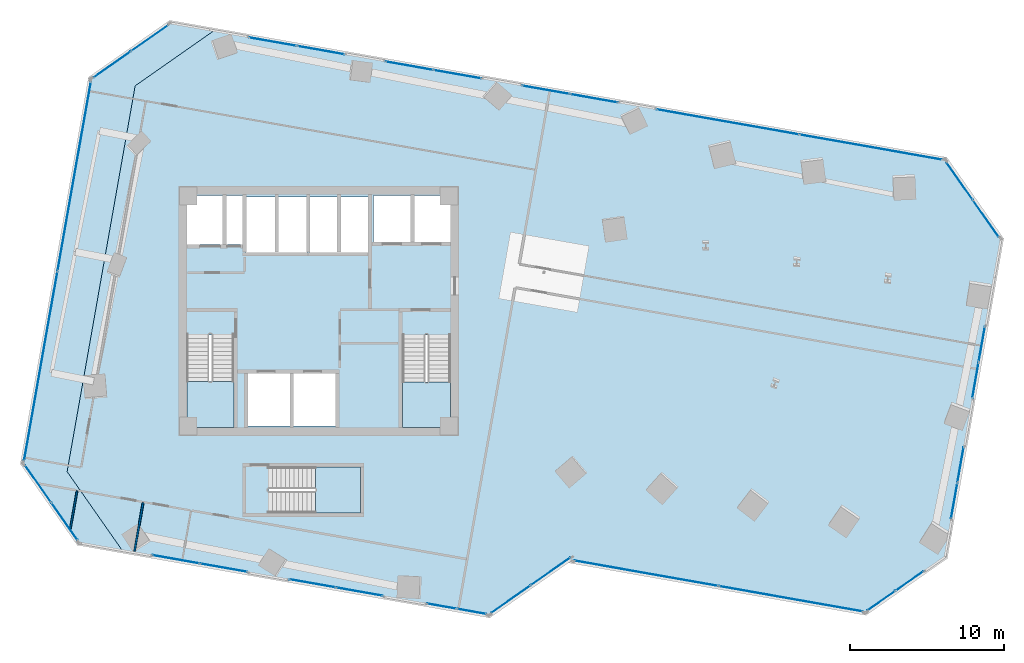
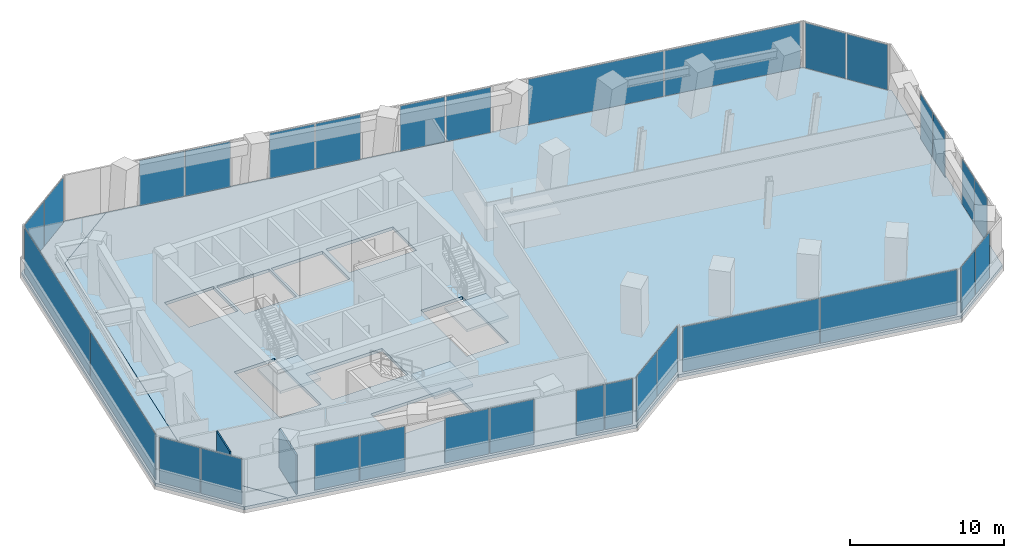
# One storey, part 18 of 24: 32 plates, 5 slabs, 2 walls, 19 elements without a shape of their own.
"""IFC4 building model written with IfcOpenShell, lengths in metres."""

from ifc_helpers import new_model, si_unit, direction, frame, frame_2d, origin, origin_2d, place, context, subcontext, project, spatial, polyline, rectangle, outline, extrude, source, transform, mapped, material, layer, layer_set, type_object, element, aggregate, save


model = new_model("IFC4")

# Units and contexts
model_context = context("Model", 3, precision=1e-05, world=origin(), true_north=direction((0.0, 1.0)))
body_context = subcontext(model_context, "Body", "Model", "MODEL_VIEW")
ifc_project = project(units=[si_unit("LENGTHUNIT", "METRE"), si_unit("AREAUNIT", "SQUARE_METRE"), si_unit("VOLUMEUNIT", "CUBIC_METRE"), si_unit("PLANEANGLEUNIT", "RADIAN"), si_unit("MASSUNIT", "GRAM", prefix="KILO")], contexts=[model_context])

# Site, building, storey
site_placement = place(None, origin())
site = spatial("IfcSite", under=ifc_project, at=site_placement, CompositionType="ELEMENT")
building_placement = place(site_placement, origin())
building = spatial("IfcBuilding", under=site, at=building_placement, Name="Torre Montelarca", CompositionType="ELEMENT")
storey_placement = place(building_placement, frame((0.0, 0.0, 79.0)))
storey = spatial("IfcBuildingStorey", under=building, at=storey_placement, Name="L17", CompositionType="ELEMENT", Elevation=79.0)

# Slabs
ifc_material_1 = material(Name="Concrete C40/50", Category="concrete")
ifc_layer_1 = layer(ifc_material_1, 0.239990234375, Name="Concrete C40/50", Category="concrete")
ifc_layer_set_1 = layer_set([ifc_layer_1], Name="Concrete C40/50")
slab_type_1 = type_object("IfcSlabType", Name="SL-FLR-240", PredefinedType="FLOOR", material=ifc_layer_set_1)
slab_1_placement = place(storey_placement, frame((0.0, 0.0, -0.239990234375)))
element("IfcSlab", 1, at=slab_1_placement, inside=storey, type_object=slab_type_1, Name="L17 Structural Floor Slab", PredefinedType="FLOOR", context=body_context, shape_type="SweptSolid", body=[
    extrude(outline(polyline([(29.073974609375, 12.18359375), (34.287109375, 15.833984375), (34.269775390625, 15.735595703125), (53.473388671875, 12.349365234375), (58.6865234375, 15.99951171875), (62.3330078125, 36.680419921875), (58.682861328125, 41.8935546875), (11.313720703125, 50.24609375), (6.1005859375, 46.595703125), (1.68994140625, 21.581787109375), (5.340087890625, 16.36865234375), (29.073974609375, 12.18359375)]), holes=[polyline([(20.699951171875, 18.89990234375), (14.760009765625, 18.89990234375), (14.760009765625, 21.889892578125), (20.699951171875, 21.889892578125), (20.699951171875, 18.89990234375)]), polyline([(19.10009765625, 24.550048828125), (13.39990234375, 24.550048828125), (13.39990234375, 27.949951171875), (19.10009765625, 27.949951171875), (19.10009765625, 24.550048828125)]), polyline([(23.43994140625, 24.449951171875), (23.43994140625, 30.429931640625), (26.550048828125, 30.429931640625), (26.550048828125, 24.449951171875), (23.43994140625, 24.449951171875)]), polyline([(9.449951171875, 24.449951171875), (9.449951171875, 30.4599609375), (12.5, 30.4599609375), (12.5, 24.449951171875), (9.449951171875, 24.449951171875)]), polyline([(17.25, 35.800048828125), (13.300048828125, 35.800048828125), (13.300048828125, 39.39990234375), (17.25, 39.39990234375), (17.25, 35.800048828125)]), polyline([(21.25, 35.800048828125), (17.39990234375, 35.800048828125), (17.39990234375, 39.39990234375), (21.25, 39.39990234375), (21.25, 35.800048828125)]), polyline([(13.1201171875, 36.300048828125), (9.449951171875, 36.300048828125), (9.449951171875, 39.5), (13.1201171875, 39.5), (13.1201171875, 36.300048828125)]), polyline([(26.60009765625, 36.449951171875), (21.550048828125, 36.449951171875), (21.550048828125, 39.5), (26.60009765625, 39.5), (26.60009765625, 36.449951171875)])]), origin(), (0.0, 0.0, 1.0), 0.239990234375),
])
slab_2_placement = place(storey_placement, frame((0.0, 0.0, -0.239990234375)))
element("IfcSlab", 2, at=slab_2_placement, inside=storey, type_object=slab_type_1, Name="L17 Sliding Tray Winter Garden Floor Slab W1", PredefinedType="FLOOR", context=body_context, shape_type="SweptSolid", body=[
    extrude(outline(polyline([(5.340087890625, 16.36865234375), (1.68994140625, 21.581787109375), (6.1005859375, 46.595703125), (11.313720703125, 50.24609375), (8.359130859375, 50.76708984375), (3.146240234375, 47.11669921875), (-1.264404296875, 22.102783203125), (2.3857421875, 16.8896484375), (5.340087890625, 16.36865234375)])), origin(), (0.0, 0.0, 1.0), 0.239990234375),
])

# Stair, slab
stair_type_1 = type_object("IfcStairType", Name="ST-CORE-ST1", PredefinedType="HALF_TURN_STAIR", material=ifc_material_1)
stair_1_placement = place(storey_placement, origin())
stair_1 = element("IfcStair", 3, at=stair_1_placement, inside=storey, type_object=stair_type_1, Name="L17 Protected Exit Stair ST1", PredefinedType="HALF_TURN_STAIR")
ifc_layer_2 = layer(ifc_material_1, 0.199951171875, Name="Concrete C40/50", Category="concrete")
ifc_layer_set_2 = layer_set([ifc_layer_2], Name="Concrete C40/50")
slab_type_2 = type_object("IfcSlabType", Name="SL-ST-LAND-ST1", PredefinedType="LANDING", material=ifc_layer_set_2)
slab_3_placement = place(storey_placement, frame((0.0, 0.0, 1.89990234375)))
slab_3 = element("IfcSlab", 4, at=slab_3_placement, type_object=slab_type_2, Name="ST1 landing 1", PredefinedType="LANDING", context=body_context, shape_type="SweptSolid", body=[
    extrude(outline(polyline([(9.449951171875, 27.419921875), (9.449951171875, 24.449951171875), (12.5, 24.449951171875), (12.5, 27.419921875), (9.449951171875, 27.419921875)])), origin(), (0.0, 0.0, 1.0), 0.2001953125),
])
aggregate(stair_1, [slab_3])

stair_type_2 = type_object("IfcStairType", Name="ST-CORE-ST2", PredefinedType="HALF_TURN_STAIR", material=ifc_material_1)
stair_2_placement = place(storey_placement, origin())
stair_2 = element("IfcStair", 5, at=stair_2_placement, inside=storey, type_object=stair_type_2, Name="L17 Protected Exit Stair ST2", PredefinedType="HALF_TURN_STAIR")
ifc_layer_3 = layer(ifc_material_1, 0.199951171875, Name="Concrete C40/50", Category="concrete")
ifc_layer_set_3 = layer_set([ifc_layer_3], Name="Concrete C40/50")
slab_type_3 = type_object("IfcSlabType", Name="SL-ST-LAND-ST2", PredefinedType="LANDING", material=ifc_layer_set_3)
slab_4_placement = place(storey_placement, frame((0.0, 0.0, 1.89990234375)))
slab_4 = element("IfcSlab", 6, at=slab_4_placement, type_object=slab_type_3, Name="ST2 landing 1", PredefinedType="LANDING", context=body_context, shape_type="SweptSolid", body=[
    extrude(outline(polyline([(23.43994140625, 27.389892578125), (23.43994140625, 24.449951171875), (26.550048828125, 24.449951171875), (26.550048828125, 27.389892578125), (23.43994140625, 27.389892578125)])), origin(), (0.0, 0.0, 1.0), 0.2001953125),
])
aggregate(stair_2, [slab_4])

stair_type_3 = type_object("IfcStairType", Name="ST-CORE-ST3", PredefinedType="HALF_TURN_STAIR", material=ifc_material_1)
stair_3_placement = place(storey_placement, origin())
stair_3 = element("IfcStair", 7, at=stair_3_placement, inside=storey, type_object=stair_type_3, Name="L17 Low-Rise Exit Stair ST3", PredefinedType="HALF_TURN_STAIR")
ifc_layer_4 = layer(ifc_material_1, 0.199951171875, Name="Concrete C40/50", Category="concrete")
ifc_layer_set_4 = layer_set([ifc_layer_4], Name="Concrete C40/50")
slab_type_4 = type_object("IfcSlabType", Name="SL-ST-LAND-ST3", PredefinedType="LANDING", material=ifc_layer_set_4)
slab_5_placement = place(storey_placement, frame((0.0, 0.0, 1.89990234375)))
slab_5 = element("IfcSlab", 8, at=slab_5_placement, type_object=slab_type_4, Name="ST3 landing 1", PredefinedType="LANDING", context=body_context, shape_type="SweptSolid", body=[
    extrude(outline(polyline([(17.800048828125, 18.89990234375), (20.699951171875, 18.89990234375), (20.699951171875, 21.889892578125), (17.800048828125, 21.889892578125), (17.800048828125, 18.89990234375)])), origin(), (0.0, 0.0, 1.0), 0.2001953125),
])
aggregate(stair_3, [slab_5])

# Curtain wall, plates
ifc_material_2 = material(Name="Insulated low-E laminated glass", Category="glass")
curtain_wall_type = type_object("IfcCurtainWallType", Name="CW-SYS-Z1", PredefinedType="USERDEFINED", material=ifc_material_2)
curtain_wall_1_placement = place(storey_placement, origin())
curtain_wall_1 = element("IfcCurtainWall", 9, at=curtain_wall_1_placement, inside=storey, type_object=curtain_wall_type, Name="L17 Curtain Wall Run CW-T3-L17-E01-B1", ObjectType="UNITISED GLAZING", PredefinedType="USERDEFINED")
ifc_layer_5 = layer(ifc_material_2, 0.028076171875, Name="Insulated low-E laminated glass", Category="glass")
ifc_layer_set_5 = layer_set([ifc_layer_5], Name="Insulated low-E laminated glass")
plate_type = type_object("IfcPlateType", Name="CWP-GLZ-28", PredefinedType="CURTAIN_PANEL", material=ifc_layer_set_5)
shared_shape_1 = source(origin(), body_context, "Body", "SweptSolid", [
    extrude(rectangle(XDim=3.085205078125, YDim=0.028076171875, at=origin_2d()), origin(), (0.0, 0.0, 1.0), 3.590087890625),
])
plate_1_placement = place(storey_placement, frame((8.748291015625, 15.899658203125, 0.06494140625), z_axis=(0.0, 0.0, 1.0), x_axis=(0.984806640149, -0.173654488907, 0.0)))
plate_1 = element("IfcPlate", 10, at=plate_1_placement, type_object=plate_type, Name="CW panel 1.1", PredefinedType="CURTAIN_PANEL", context=body_context, shape_type="MappedRepresentation", body=[
    mapped(shared_shape_1, transform((0.0, 0.0, 0.0), scale=1.0)),
])
plate_2_placement = place(storey_placement, frame((11.8505859375, 15.352783203125, 0.06494140625), z_axis=(0.0, 0.0, 1.0), x_axis=(0.984806640149, -0.173654488907, 0.0)))
plate_2 = element("IfcPlate", 11, at=plate_2_placement, type_object=plate_type, Name="CW panel 2.1", PredefinedType="CURTAIN_PANEL", context=body_context, shape_type="MappedRepresentation", body=[
    mapped(shared_shape_1, transform((0.0, 0.0, 0.0), scale=1.0)),
])
aggregate(curtain_wall_1, [plate_1, plate_2])

curtain_wall_2_placement = place(storey_placement, origin())
curtain_wall_2 = element("IfcCurtainWall", 12, at=curtain_wall_2_placement, inside=storey, type_object=curtain_wall_type, Name="L17 Curtain Wall Run CW-T3-L17-E07-B1", ObjectType="UNITISED GLAZING", PredefinedType="USERDEFINED")
shared_shape_2 = source(origin(), body_context, "Body", "SweptSolid", [
    extrude(rectangle(XDim=2.918701171875, YDim=0.028076171875, at=origin_2d()), origin(), (0.0, 0.0, 1.0), 3.590087890625),
])
plate_3_placement = place(storey_placement, frame((61.257080078125, 37.990478515625, 0.06494140625), z_axis=(0.0, 0.0, 1.0), x_axis=(-0.573545784811, 0.819173505874, 0.0)))
plate_3 = element("IfcPlate", 13, at=plate_3_placement, type_object=plate_type, Name="CW panel 1.1", PredefinedType="CURTAIN_PANEL", context=body_context, shape_type="MappedRepresentation", body=[
    mapped(shared_shape_2, transform((0.0, 0.0, 0.0), scale=1.0)),
])
plate_4_placement = place(storey_placement, frame((59.5458984375, 40.4345703125, 0.06494140625), z_axis=(0.0, 0.0, 1.0), x_axis=(-0.573545784811, 0.819173505874, 0.0)))
plate_4 = element("IfcPlate", 14, at=plate_4_placement, type_object=plate_type, Name="CW panel 2.1", PredefinedType="CURTAIN_PANEL", context=body_context, shape_type="MappedRepresentation", body=[
    mapped(shared_shape_2, transform((0.0, 0.0, 0.0), scale=1.0)),
])
aggregate(curtain_wall_2, [plate_3, plate_4])

curtain_wall_3_placement = place(storey_placement, origin())
curtain_wall_3 = element("IfcCurtainWall", 15, at=curtain_wall_3_placement, inside=storey, type_object=curtain_wall_type, Name="L17 Curtain Wall Run CW-T3-L17-E09-B1", ObjectType="UNITISED GLAZING", PredefinedType="USERDEFINED")
plate_5_placement = place(storey_placement, frame((7.04931640625, 49.69091796875, 0.06494140625), z_axis=(0.0, 0.0, 1.0), x_axis=(-0.819168052546, -0.573553573511, 0.0)))
plate_5 = element("IfcPlate", 16, at=plate_5_placement, type_object=plate_type, Name="CW panel 1.1", PredefinedType="CURTAIN_PANEL", context=body_context, shape_type="MappedRepresentation", body=[
    mapped(shared_shape_2, transform((0.0, 0.0, 0.0), scale=1.0)),
])
plate_6_placement = place(storey_placement, frame((4.605224609375, 47.979736328125, 0.06494140625), z_axis=(0.0, 0.0, 1.0), x_axis=(-0.819168052546, -0.573553573511, 0.0)))
plate_6 = element("IfcPlate", 17, at=plate_6_placement, type_object=plate_type, Name="CW panel 2.1", PredefinedType="CURTAIN_PANEL", context=body_context, shape_type="MappedRepresentation", body=[
    mapped(shared_shape_2, transform((0.0, 0.0, 0.0), scale=1.0)),
])
aggregate(curtain_wall_3, [plate_5, plate_6])

curtain_wall_4_placement = place(storey_placement, origin())
curtain_wall_4 = element("IfcCurtainWall", 18, at=curtain_wall_4_placement, inside=storey, type_object=curtain_wall_type, Name="L17 Curtain Wall Run CW-T3-L17-E11-B1", ObjectType="UNITISED GLAZING", PredefinedType="USERDEFINED")
plate_7_placement = place(storey_placement, frame((-0.1884765625, 20.792724609375, 0.06494140625), z_axis=(0.0, 0.0, 1.0), x_axis=(0.573545784811, -0.819173505874, 0.0)))
plate_7 = element("IfcPlate", 19, at=plate_7_placement, type_object=plate_type, Name="CW panel 1.1", PredefinedType="CURTAIN_PANEL", context=body_context, shape_type="MappedRepresentation", body=[
    mapped(shared_shape_2, transform((0.0, 0.0, 0.0), scale=1.0)),
])
plate_8_placement = place(storey_placement, frame((1.522705078125, 18.3486328125, 0.06494140625), z_axis=(0.0, 0.0, 1.0), x_axis=(0.573545784811, -0.819173505874, 0.0)))
plate_8 = element("IfcPlate", 20, at=plate_8_placement, type_object=plate_type, Name="CW panel 2.1", PredefinedType="CURTAIN_PANEL", context=body_context, shape_type="MappedRepresentation", body=[
    mapped(shared_shape_2, transform((0.0, 0.0, 0.0), scale=1.0)),
])
aggregate(curtain_wall_4, [plate_7, plate_8])

curtain_wall_5_placement = place(storey_placement, origin())
curtain_wall_5 = element("IfcCurtainWall", 21, at=curtain_wall_5_placement, inside=storey, type_object=curtain_wall_type, Name="L17 Curtain Wall Run CW-T3-L17-E08-B2", ObjectType="UNITISED GLAZING", PredefinedType="USERDEFINED")
shared_shape_3 = source(origin(), body_context, "Body", "SweptSolid", [
    extrude(rectangle(XDim=3.10791015625, YDim=0.028076171875, at=origin_2d()), origin(), (0.0, 0.0, 1.0), 3.590087890625),
])
plate_9_placement = place(storey_placement, frame((35.863037109375, 45.785400390625, 0.06494140625), z_axis=(0.0, 0.0, 1.0), x_axis=(-0.984808830467, 0.173642067006, 0.0)))
plate_9 = element("IfcPlate", 22, at=plate_9_placement, type_object=plate_type, Name="CW panel 1.1", PredefinedType="CURTAIN_PANEL", context=body_context, shape_type="MappedRepresentation", body=[
    mapped(shared_shape_3, transform((0.0, 0.0, 0.0), scale=1.0)),
])
plate_10_placement = place(storey_placement, frame((32.73828125, 46.336181640625, 0.06494140625), z_axis=(0.0, 0.0, 1.0), x_axis=(-0.984808830467, 0.173642067006, 0.0)))
plate_10 = element("IfcPlate", 23, at=plate_10_placement, type_object=plate_type, Name="CW panel 2.1", PredefinedType="CURTAIN_PANEL", context=body_context, shape_type="MappedRepresentation", body=[
    mapped(shared_shape_3, transform((0.0, 0.0, 0.0), scale=1.0)),
])
aggregate(curtain_wall_5, [plate_9, plate_10])

curtain_wall_6_placement = place(storey_placement, origin())
curtain_wall_6 = element("IfcCurtainWall", 24, at=curtain_wall_6_placement, inside=storey, type_object=curtain_wall_type, Name="L17 Curtain Wall Run CW-T3-L17-E08-B4", ObjectType="UNITISED GLAZING", PredefinedType="USERDEFINED")
shared_shape_4 = source(origin(), body_context, "Body", "SweptSolid", [
    extrude(rectangle(XDim=3.105712890625, YDim=0.028076171875, at=origin_2d()), origin(), (0.0, 0.0, 1.0), 3.590087890625),
])
plate_11_placement = place(storey_placement, frame((18.137451171875, 48.91064453125, 0.06494140625), z_axis=(0.0, 0.0, 1.0), x_axis=(-0.984806806821, 0.173653543698, 0.0)))
plate_11 = element("IfcPlate", 25, at=plate_11_placement, type_object=plate_type, Name="CW panel 1.1", PredefinedType="CURTAIN_PANEL", context=body_context, shape_type="MappedRepresentation", body=[
    mapped(shared_shape_4, transform((0.0, 0.0, 0.0), scale=1.0)),
])
plate_12_placement = place(storey_placement, frame((15.014892578125, 49.46142578125, 0.06494140625), z_axis=(0.0, 0.0, 1.0), x_axis=(-0.984806806821, 0.173653543698, 0.0)))
plate_12 = element("IfcPlate", 26, at=plate_12_placement, type_object=plate_type, Name="CW panel 2.1", PredefinedType="CURTAIN_PANEL", context=body_context, shape_type="MappedRepresentation", body=[
    mapped(shared_shape_4, transform((0.0, 0.0, 0.0), scale=1.0)),
])
aggregate(curtain_wall_6, [plate_11, plate_12])

curtain_wall_7_placement = place(storey_placement, origin())
curtain_wall_7 = element("IfcCurtainWall", 27, at=curtain_wall_7_placement, inside=storey, type_object=curtain_wall_type, Name="L17 Curtain Wall Run CW-T3-L17-E01-B3", ObjectType="UNITISED GLAZING", PredefinedType="USERDEFINED")
shared_shape_5 = source(origin(), body_context, "Body", "SweptSolid", [
    extrude(rectangle(XDim=1.9169921875, YDim=0.028076171875, at=origin_2d()), origin(), (0.0, 0.0, 1.0), 3.590087890625),
])
plate_13_placement = place(storey_placement, frame((25.973388671875, 12.862548828125, 0.06494140625), z_axis=(0.0, 0.0, 1.0), x_axis=(0.98480978289, -0.173636665264, 0.0)))
plate_13 = element("IfcPlate", 28, at=plate_13_placement, type_object=plate_type, Name="CW panel 1.1", PredefinedType="CURTAIN_PANEL", context=body_context, shape_type="MappedRepresentation", body=[
    mapped(shared_shape_5, transform((0.0, 0.0, 0.0), scale=1.0)),
])
plate_14_placement = place(storey_placement, frame((27.92529296875, 12.518310546875, 0.06494140625), z_axis=(0.0, 0.0, 1.0), x_axis=(0.98480978289, -0.173636665264, 0.0)))
plate_14 = element("IfcPlate", 29, at=plate_14_placement, type_object=plate_type, Name="CW panel 2.1", PredefinedType="CURTAIN_PANEL", context=body_context, shape_type="MappedRepresentation", body=[
    mapped(shared_shape_5, transform((0.0, 0.0, 0.0), scale=1.0)),
])
aggregate(curtain_wall_7, [plate_13, plate_14])

curtain_wall_8_placement = place(storey_placement, origin())
curtain_wall_8 = element("IfcCurtainWall", 30, at=curtain_wall_8_placement, inside=storey, type_object=curtain_wall_type, Name="L17 Curtain Wall Run CW-T3-L17-E02-B1", ObjectType="UNITISED GLAZING", PredefinedType="USERDEFINED")
shared_shape_6 = source(origin(), body_context, "Body", "SweptSolid", [
    extrude(rectangle(XDim=3.1025390625, YDim=0.028076171875, at=origin_2d()), origin(), (0.0, 0.0, 1.0), 3.590087890625),
])
plate_15_placement = place(storey_placement, frame((30.459228515625, 13.3125, 0.06494140625), z_axis=(0.0, 0.0, 1.0), x_axis=(0.819162914987, 0.573560911072, 0.0)))
plate_15 = element("IfcPlate", 31, at=plate_15_placement, type_object=plate_type, Name="CW panel 1.1", PredefinedType="CURTAIN_PANEL", context=body_context, shape_type="MappedRepresentation", body=[
    mapped(shared_shape_6, transform((0.0, 0.0, 0.0), scale=1.0)),
])
plate_16_placement = place(storey_placement, frame((33.053955078125, 15.129150390625, 0.06494140625), z_axis=(0.0, 0.0, 1.0), x_axis=(0.819162914987, 0.573560911072, 0.0)))
plate_16 = element("IfcPlate", 32, at=plate_16_placement, type_object=plate_type, Name="CW panel 2.1", PredefinedType="CURTAIN_PANEL", context=body_context, shape_type="MappedRepresentation", body=[
    mapped(shared_shape_6, transform((0.0, 0.0, 0.0), scale=1.0)),
])
aggregate(curtain_wall_8, [plate_15, plate_16])

curtain_wall_9_placement = place(storey_placement, origin())
curtain_wall_9 = element("IfcCurtainWall", 33, at=curtain_wall_9_placement, inside=storey, type_object=curtain_wall_type, Name="L17 Curtain Wall Run CW-T3-L17-E04-B1", ObjectType="UNITISED GLAZING", PredefinedType="USERDEFINED")
shared_shape_7 = source(origin(), body_context, "Body", "SweptSolid", [
    extrude(rectangle(XDim=9.448486328125, YDim=0.028076171875, at=origin_2d()), origin(), (0.0, 0.0, 1.0), 3.590087890625),
])
plate_17_placement = place(storey_placement, frame((39.2470703125, 14.98974609375, 0.06494140625), z_axis=(0.0, 0.0, 1.0), x_axis=(0.984808647741, -0.173643103331, 0.0)))
plate_17 = element("IfcPlate", 34, at=plate_17_placement, type_object=plate_type, Name="CW panel 1.1", PredefinedType="CURTAIN_PANEL", context=body_context, shape_type="MappedRepresentation", body=[
    mapped(shared_shape_7, transform((0.0, 0.0, 0.0), scale=1.0)),
])
plate_18_placement = place(storey_placement, frame((48.6162109375, 13.337890625, 0.06494140625), z_axis=(0.0, 0.0, 1.0), x_axis=(0.984808647741, -0.173643103331, 0.0)))
plate_18 = element("IfcPlate", 35, at=plate_18_placement, type_object=plate_type, Name="CW panel 2.1", PredefinedType="CURTAIN_PANEL", context=body_context, shape_type="MappedRepresentation", body=[
    mapped(shared_shape_7, transform((0.0, 0.0, 0.0), scale=1.0)),
])
aggregate(curtain_wall_9, [plate_17, plate_18])

curtain_wall_10_placement = place(storey_placement, origin())
curtain_wall_10 = element("IfcCurtainWall", 36, at=curtain_wall_10_placement, inside=storey, type_object=curtain_wall_type, Name="L17 Curtain Wall Run CW-T3-L17-E10-B1", ObjectType="UNITISED GLAZING", PredefinedType="USERDEFINED")
shared_shape_8 = source(origin(), body_context, "Body", "SweptSolid", [
    extrude(rectangle(XDim=12.4365234375, YDim=0.028076171875, at=origin_2d()), origin(), (0.0, 0.0, 1.0), 3.590087890625),
])
plate_19_placement = place(storey_placement, frame((2.154296875, 40.7431640625, 0.06494140625), z_axis=(0.0, 0.0, 1.0), x_axis=(-0.173646061274, -0.984808126187, 0.0)))
plate_19 = element("IfcPlate", 37, at=plate_19_placement, type_object=plate_type, Name="CW panel 1.1", PredefinedType="CURTAIN_PANEL", context=body_context, shape_type="MappedRepresentation", body=[
    mapped(shared_shape_8, transform((0.0, 0.0, 0.0), scale=1.0)),
])
plate_20_placement = place(storey_placement, frame((-0.0166015625, 28.431396484375, 0.06494140625), z_axis=(0.0, 0.0, 1.0), x_axis=(-0.173646061274, -0.984808126187, 0.0)))
plate_20 = element("IfcPlate", 38, at=plate_20_placement, type_object=plate_type, Name="CW panel 2.1", PredefinedType="CURTAIN_PANEL", context=body_context, shape_type="MappedRepresentation", body=[
    mapped(shared_shape_8, transform((0.0, 0.0, 0.0), scale=1.0)),
])
aggregate(curtain_wall_10, [plate_19, plate_20])

curtain_wall_11_placement = place(storey_placement, origin())
curtain_wall_11 = element("IfcCurtainWall", 39, at=curtain_wall_11_placement, inside=storey, type_object=curtain_wall_type, Name="L17 Curtain Wall Run CW-T3-L17-E01-B2", ObjectType="UNITISED GLAZING", PredefinedType="USERDEFINED")
shared_shape_9 = source(origin(), body_context, "Body", "SweptSolid", [
    extrude(rectangle(XDim=3.046875, YDim=0.028076171875, at=origin_2d()), origin(), (0.0, 0.0, 1.0), 3.590087890625),
])
plate_21_placement = place(storey_placement, frame((17.592529296875, 14.34033203125, 0.06494140625), z_axis=(0.0, 0.0, 1.0), x_axis=(0.984807562424, -0.173649258543, 0.0)))
plate_21 = element("IfcPlate", 40, at=plate_21_placement, type_object=plate_type, Name="CW panel 1.1", PredefinedType="CURTAIN_PANEL", context=body_context, shape_type="MappedRepresentation", body=[
    mapped(shared_shape_9, transform((0.0, 0.0, 0.0), scale=1.0)),
])
plate_22_placement = place(storey_placement, frame((20.656982421875, 13.7998046875, 0.06494140625), z_axis=(0.0, 0.0, 1.0), x_axis=(0.984807562424, -0.173649258543, 0.0)))
plate_22 = element("IfcPlate", 41, at=plate_22_placement, type_object=plate_type, Name="CW panel 2.1", PredefinedType="CURTAIN_PANEL", context=body_context, shape_type="MappedRepresentation", body=[
    mapped(shared_shape_9, transform((0.0, 0.0, 0.0), scale=1.0)),
])
aggregate(curtain_wall_11, [plate_21, plate_22])

curtain_wall_12_placement = place(storey_placement, origin())
curtain_wall_12 = element("IfcCurtainWall", 42, at=curtain_wall_12_placement, inside=storey, type_object=curtain_wall_type, Name="L17 Curtain Wall Run CW-T3-L17-E05-B1", ObjectType="UNITISED GLAZING", PredefinedType="USERDEFINED")
shared_shape_10 = source(origin(), body_context, "Body", "SweptSolid", [
    extrude(rectangle(XDim=2.17919921875, YDim=0.028076171875, at=origin_2d()), origin(), (0.0, 0.0, 1.0), 3.590087890625),
])
plate_23_placement = place(storey_placement, frame((54.48046875, 13.213134765625, 0.06494140625), z_axis=(0.0, 0.0, 1.0), x_axis=(0.819166916615, 0.573555195883, 0.0)))
plate_23 = element("IfcPlate", 43, at=plate_23_placement, type_object=plate_type, Name="CW panel 1.1", PredefinedType="CURTAIN_PANEL", context=body_context, shape_type="MappedRepresentation", body=[
    mapped(shared_shape_10, transform((0.0, 0.0, 0.0), scale=1.0)),
])
plate_24_placement = place(storey_placement, frame((56.31884765625, 14.50048828125, 0.06494140625), z_axis=(0.0, 0.0, 1.0), x_axis=(0.819166916615, 0.573555195883, 0.0)))
plate_24 = element("IfcPlate", 44, at=plate_24_placement, type_object=plate_type, Name="CW panel 2.1", PredefinedType="CURTAIN_PANEL", context=body_context, shape_type="MappedRepresentation", body=[
    mapped(shared_shape_10, transform((0.0, 0.0, 0.0), scale=1.0)),
])
aggregate(curtain_wall_12, [plate_23, plate_24])

curtain_wall_13_placement = place(storey_placement, origin())
curtain_wall_13 = element("IfcCurtainWall", 45, at=curtain_wall_13_placement, inside=storey, type_object=curtain_wall_type, Name="L17 Curtain Wall Run CW-T3-L17-E06-B1", ObjectType="UNITISED GLAZING", PredefinedType="USERDEFINED")
shared_shape_11 = source(origin(), body_context, "Body", "SweptSolid", [
    extrude(rectangle(XDim=2.31494140625, YDim=0.028076171875, at=origin_2d()), origin(), (0.0, 0.0, 1.0), 3.590087890625),
])
plate_25_placement = place(storey_placement, frame((59.205810546875, 19.693115234375, 0.06494140625), z_axis=(0.0, 0.0, 1.0), x_axis=(0.173633997676, 0.984810253222, 0.0)))
plate_25 = element("IfcPlate", 46, at=plate_25_placement, type_object=plate_type, Name="CW panel 1.1", PredefinedType="CURTAIN_PANEL", context=body_context, shape_type="MappedRepresentation", body=[
    mapped(shared_shape_11, transform((0.0, 0.0, 0.0), scale=1.0)),
])
plate_26_placement = place(storey_placement, frame((59.619140625, 22.036865234375, 0.06494140625), z_axis=(0.0, 0.0, 1.0), x_axis=(0.173633997676, 0.984810253222, 0.0)))
plate_26 = element("IfcPlate", 47, at=plate_26_placement, type_object=plate_type, Name="CW panel 2.1", PredefinedType="CURTAIN_PANEL", context=body_context, shape_type="MappedRepresentation", body=[
    mapped(shared_shape_11, transform((0.0, 0.0, 0.0), scale=1.0)),
])
aggregate(curtain_wall_13, [plate_25, plate_26])

curtain_wall_14_placement = place(storey_placement, origin())
curtain_wall_14 = element("IfcCurtainWall", 48, at=curtain_wall_14_placement, inside=storey, type_object=curtain_wall_type, Name="L17 Curtain Wall Run CW-T3-L17-E06-B2", ObjectType="UNITISED GLAZING", PredefinedType="USERDEFINED")
shared_shape_12 = source(origin(), body_context, "Body", "SweptSolid", [
    extrude(rectangle(XDim=2.314208984375, YDim=0.028076171875, at=origin_2d()), origin(), (0.0, 0.0, 1.0), 3.590087890625),
])
plate_27_placement = place(storey_placement, frame((60.581787109375, 27.4970703125, 0.06494140625), z_axis=(0.0, 0.0, 1.0), x_axis=(0.173637488749, 0.984809637697, 0.0)))
plate_27 = element("IfcPlate", 49, at=plate_27_placement, type_object=plate_type, Name="CW panel 1.1", PredefinedType="CURTAIN_PANEL", context=body_context, shape_type="MappedRepresentation", body=[
    mapped(shared_shape_12, transform((0.0, 0.0, 0.0), scale=1.0)),
])
plate_28_placement = place(storey_placement, frame((60.994873046875, 29.840087890625, 0.06494140625), z_axis=(0.0, 0.0, 1.0), x_axis=(0.173637488749, 0.984809637697, 0.0)))
plate_28 = element("IfcPlate", 50, at=plate_28_placement, type_object=plate_type, Name="CW panel 2.1", PredefinedType="CURTAIN_PANEL", context=body_context, shape_type="MappedRepresentation", body=[
    mapped(shared_shape_12, transform((0.0, 0.0, 0.0), scale=1.0)),
])
aggregate(curtain_wall_14, [plate_27, plate_28])

curtain_wall_15_placement = place(storey_placement, origin())
curtain_wall_15 = element("IfcCurtainWall", 51, at=curtain_wall_15_placement, inside=storey, type_object=curtain_wall_type, Name="L17 Curtain Wall Run CW-T3-L17-E08-B1", ObjectType="UNITISED GLAZING", PredefinedType="USERDEFINED")
shared_shape_13 = source(origin(), body_context, "Body", "SweptSolid", [
    extrude(rectangle(XDim=9.372802734375, YDim=0.028076171875, at=origin_2d()), origin(), (0.0, 0.0, 1.0), 3.590087890625),
])
plate_29_placement = place(storey_placement, frame((53.81787109375, 42.619384765625, 0.06494140625), z_axis=(0.0, 0.0, 1.0), x_axis=(-0.984807839133, 0.173647689249, 0.0)))
plate_29 = element("IfcPlate", 52, at=plate_29_placement, type_object=plate_type, Name="CW panel 1.1", PredefinedType="CURTAIN_PANEL", context=body_context, shape_type="MappedRepresentation", body=[
    mapped(shared_shape_13, transform((0.0, 0.0, 0.0), scale=1.0)),
])
plate_30_placement = place(storey_placement, frame((44.5234375, 44.25830078125, 0.06494140625), z_axis=(0.0, 0.0, 1.0), x_axis=(-0.984807839133, 0.173647689249, 0.0)))
plate_30 = element("IfcPlate", 53, at=plate_30_placement, type_object=plate_type, Name="CW panel 2.1", PredefinedType="CURTAIN_PANEL", context=body_context, shape_type="MappedRepresentation", body=[
    mapped(shared_shape_13, transform((0.0, 0.0, 0.0), scale=1.0)),
])
aggregate(curtain_wall_15, [plate_29, plate_30])

curtain_wall_16_placement = place(storey_placement, origin())
curtain_wall_16 = element("IfcCurtainWall", 54, at=curtain_wall_16_placement, inside=storey, type_object=curtain_wall_type, Name="L17 Curtain Wall Run CW-T3-L17-E08-B3", ObjectType="UNITISED GLAZING", PredefinedType="USERDEFINED")
shared_shape_14 = source(origin(), body_context, "Body", "SweptSolid", [
    extrude(rectangle(XDim=3.106689453125, YDim=0.028076171875, at=origin_2d()), origin(), (0.0, 0.0, 1.0), 3.590087890625),
])
plate_31_placement = place(storey_placement, frame((27.000244140625, 47.34814453125, 0.06494140625), z_axis=(0.0, 0.0, 1.0), x_axis=(-0.984806014213, 0.173658038596, 0.0)))
plate_31 = element("IfcPlate", 55, at=plate_31_placement, type_object=plate_type, Name="CW panel 1.1", PredefinedType="CURTAIN_PANEL", context=body_context, shape_type="MappedRepresentation", body=[
    mapped(shared_shape_14, transform((0.0, 0.0, 0.0), scale=1.0)),
])
plate_32_placement = place(storey_placement, frame((23.876708984375, 47.89892578125, 0.06494140625), z_axis=(0.0, 0.0, 1.0), x_axis=(-0.984806014213, 0.173658038596, 0.0)))
plate_32 = element("IfcPlate", 56, at=plate_32_placement, type_object=plate_type, Name="CW panel 2.1", PredefinedType="CURTAIN_PANEL", context=body_context, shape_type="MappedRepresentation", body=[
    mapped(shared_shape_14, transform((0.0, 0.0, 0.0), scale=1.0)),
])
aggregate(curtain_wall_16, [plate_31, plate_32])

# Walls
ifc_material_3 = material(Name="Acoustic laminated glass partition", Category="glass")
ifc_layer_6 = layer(ifc_material_3, 0.10009765625, Name="Acoustic laminated glass partition", Category="glass")
ifc_layer_set_6 = layer_set([ifc_layer_6], Name="Acoustic laminated glass partition")
wall_type_1 = type_object("IfcWallType", Name="PW-GLAZ-100", PredefinedType="PARTITIONING", material=ifc_layer_set_6)
wall_1_placement = place(storey_placement, frame((1.899658203125, 17.876953125, 0.0), z_axis=(0.0, 0.0, 1.0), x_axis=(0.173701499557, 0.984798349436, 0.0)))
element("IfcWall", 57, at=wall_1_placement, inside=storey, type_object=wall_type_1, Name="L17 Interior Partition W-L17-WCW", PredefinedType="PARTITIONING", context=body_context, shape_type="SweptSolid", body=[
    extrude(rectangle(XDim=2.491943359375, YDim=0.10009765625, at=frame_2d((1.24609375, 0.0))), origin(), (0.0, 0.0, 1.0), 3.9599609375),
])
ifc_material_4 = material(Name="Gypsum plasterboard on steel stud", Category="steel")
ifc_layer_7 = layer(ifc_material_4, 0.114990234375, Name="Gypsum plasterboard on steel stud", Category="steel")
ifc_layer_set_7 = layer_set([ifc_layer_7], Name="Gypsum plasterboard on steel stud")
wall_type_2 = type_object("IfcWallType", Name="PW-PART-115", PredefinedType="PARTITIONING", material=ifc_layer_set_7)
wall_2_placement = place(storey_placement, frame((6.060791015625, 16.42431640625, 0.0), z_axis=(0.0, 0.0, 1.0), x_axis=(0.173646056486, 0.984808127031, 0.0)))
element("IfcWall", 58, at=wall_2_placement, inside=storey, type_object=wall_type_2, Name="L17 Interior Partition W-L17-WCD", PredefinedType="PARTITIONING", context=body_context, shape_type="SweptSolid", body=[
    extrude(rectangle(XDim=3.199951171875, YDim=0.114990234375, at=frame_2d((1.60009765625, 0.0))), origin(), (0.0, 0.0, 1.0), 3.094970703125),
])

save(model, "model.ifc")
